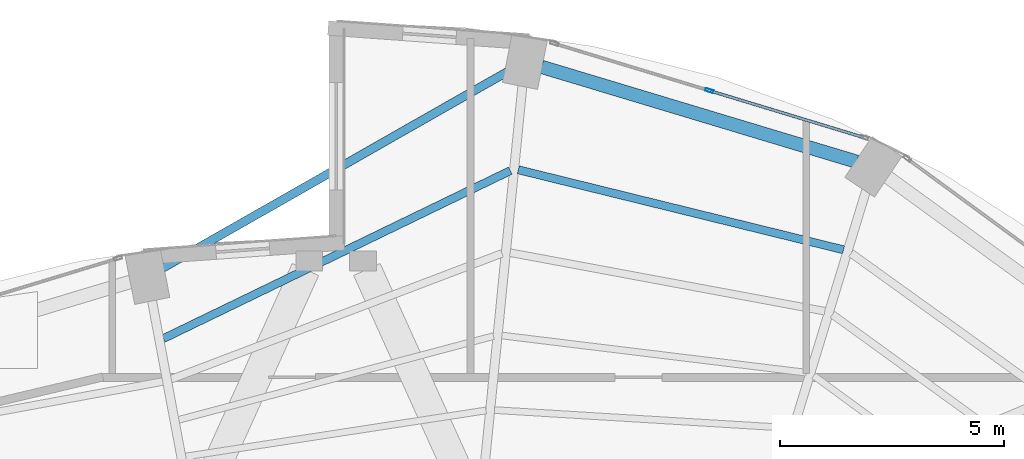
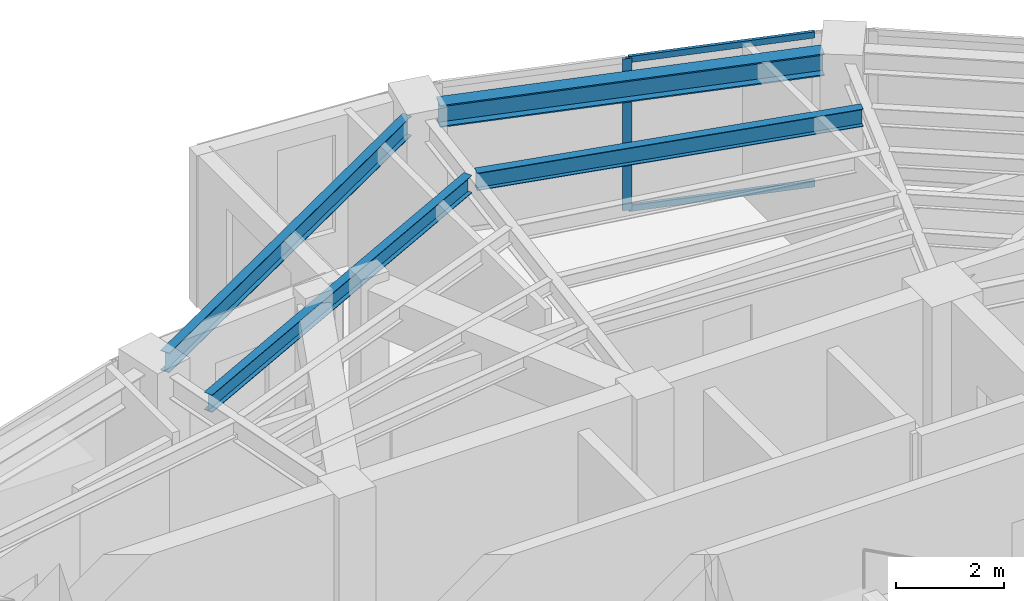
# One storey, part 16 of 22: 4 beams, 3 members, 1 element without a shape of its own.
"""IFC4 building model written with IfcOpenShell, lengths in metres."""

from ifc_helpers import new_model, si_unit, direction, frame, origin, origin_2d, place, context, subcontext, project, spatial, hollow_rectangle, i_section, extrude, material, layer, layer_set, material_profile, profile_set, type_object, element, aggregate, save


model = new_model("IFC4")

# Units and contexts
model_context = context("Model", 3, precision=1e-05, world=origin(), true_north=direction((0.0, 1.0)))
body_context = subcontext(model_context, "Body", "Model", "MODEL_VIEW")
ifc_project = project(units=[si_unit("LENGTHUNIT", "METRE"), si_unit("AREAUNIT", "SQUARE_METRE"), si_unit("VOLUMEUNIT", "CUBIC_METRE"), si_unit("PLANEANGLEUNIT", "RADIAN"), si_unit("MASSUNIT", "GRAM", prefix="KILO")], contexts=[model_context])

# Site, building, storey
site_placement = place(None, origin())
site = spatial("IfcSite", under=ifc_project, at=site_placement, CompositionType="ELEMENT")
building_placement = place(site_placement, origin())
building = spatial("IfcBuilding", under=site, at=building_placement, Name="Lazwardi Medical Tower", CompositionType="ELEMENT")
storey_placement = place(building_placement, frame((0.0, 0.0, 238.60791015625)))
storey = spatial("IfcBuildingStorey", under=building, at=storey_placement, Name="L62", CompositionType="ELEMENT", Elevation=238.60791015625)

# Beams
ifc_material_1 = material(Name="Steel S355", Category="steel")
ifc_material_profile_1 = material_profile(ifc_material_1, i_section(OverallWidth=0.300048828125, OverallDepth=0.5, WebThickness=0.014404296875, FlangeThickness=0.028076171875, at=origin_2d()), Name="HEB 500")
ifc_profile_set_1 = profile_set([ifc_material_profile_1], Name="Steel S355")
beam_type_1 = type_object("IfcBeamType", Name="BM-RB-Z4", PredefinedType="BEAM", material=ifc_profile_set_1)
beam_1_placement = place(storey_placement, frame((47.626953125, 43.56640625, 3.197998046875), z_axis=(-0.957544311906, 0.288286126506, 0.0), x_axis=(-0.288286126506, -0.957544311906, 0.0)))
element("IfcBeam", 1, at=beam_1_placement, inside=storey, type_object=beam_type_1, Name="Ring beam RB-05 B07 L62", PredefinedType="BEAM", context=body_context, shape_type="SweptSolid", body=[
    extrude(i_section(OverallWidth=0.300048828125, OverallDepth=0.5, WebThickness=0.014404296875, FlangeThickness=0.028076171875, at=origin_2d()), origin(), (0.0, 0.0, 1.0), 7.3515625),
])
ifc_material_profile_2 = material_profile(ifc_material_1, i_section(OverallWidth=0.179931640625, OverallDepth=0.39990234375, WebThickness=0.008544921875, FlangeThickness=0.013427734375, at=origin_2d()), Name="IPE 400")
ifc_profile_set_2 = profile_set([ifc_material_profile_2], Name="Steel S355")
beam_type_2 = type_object("IfcBeamType", Name="BM-SJ-01", PredefinedType="JOIST", material=ifc_profile_set_2)
beam_2_placement = place(storey_placement, frame((47.334228515625, 41.59912109375, 3.248046875), z_axis=(-0.971041669317, 0.238910184904, 0.0), x_axis=(-0.238910184904, -0.971041669317, 0.0)))
element("IfcBeam", 2, at=beam_2_placement, inside=storey, type_object=beam_type_2, Name="Secondary joist SJ-01 R1 B07 L62", PredefinedType="JOIST", context=body_context, shape_type="SweptSolid", body=[
    extrude(i_section(OverallWidth=0.179931640625, OverallDepth=0.39990234375, WebThickness=0.008544921875, FlangeThickness=0.013427734375, at=origin_2d()), origin(), (0.0, 0.0, 1.0), 7.482421875),
])
beam_3_placement = place(storey_placement, frame((39.89111328125, 43.367919921875, 3.248046875), z_axis=(-0.900068885459, -0.435747635024, 0.0), x_axis=(0.435747635024, -0.900068885459, 0.0)))
element("IfcBeam", 3, at=beam_3_placement, inside=storey, type_object=beam_type_2, Name="Secondary joist SJ-01 R1 B08 L62", PredefinedType="JOIST", context=body_context, shape_type="SweptSolid", body=[
    extrude(i_section(OverallWidth=0.179931640625, OverallDepth=0.39990234375, WebThickness=0.008544921875, FlangeThickness=0.013427734375, at=origin_2d()), origin(), (0.0, 0.0, 1.0), 8.612548828125),
])
ifc_material_profile_3 = material_profile(ifc_material_1, i_section(OverallWidth=0.18994140625, OverallDepth=0.449951171875, WebThickness=0.009521484375, FlangeThickness=0.0146484375, at=origin_2d()), Name="IPE 450")
ifc_profile_set_3 = profile_set([ifc_material_profile_3], Name="Steel S355")
beam_type_3 = type_object("IfcBeamType", Name="BM-SP-01", PredefinedType="SPANDREL", material=ifc_profile_set_3)
beam_4_placement = place(storey_placement, frame((39.875, 45.605224609375, 3.22314453125), z_axis=(-0.868954808466, -0.494891443494, 0.0), x_axis=(0.494891443494, -0.868954808466, 0.0)))
element("IfcBeam", 4, at=beam_4_placement, inside=storey, type_object=beam_type_3, Name="Spandrel beam SP-01 B08 L62", PredefinedType="SPANDREL", context=body_context, shape_type="SweptSolid", body=[
    extrude(i_section(OverallWidth=0.18994140625, OverallDepth=0.449951171875, WebThickness=0.009521484375, FlangeThickness=0.0146484375, at=origin_2d()), origin(), (0.0, 0.0, 1.0), 8.918701171875),
])

# Curtain wall, members
ifc_material_2 = material(Name="Anodised bronze aluminium and solar control glazing", Category="aluminium")
ifc_layer = layer(ifc_material_2, 0.18994140625)
ifc_layer_set = layer_set([ifc_layer], Name="Anodised bronze aluminium and solar control glazing")
curtain_wall_type = type_object("IfcCurtainWallType", Name="CW-SYS-04", PredefinedType="NOTDEFINED", material=ifc_layer_set)
curtain_wall_placement = place(storey_placement, origin())
curtain_wall = element("IfcCurtainWall", 5, at=curtain_wall_placement, inside=storey, type_object=curtain_wall_type, Name="L62 Unitised bronze curtain wall CW-04", PredefinedType="NOTDEFINED")
ifc_material_3 = material(Name="Anodised bronze aluminium", Category="aluminium")
ifc_material_profile_4 = material_profile(ifc_material_3, hollow_rectangle(XDim=0.06494140625, YDim=0.179931640625, WallThickness=0.00390625, at=origin_2d()), Name="ALU-MULLION 180x65x4")
ifc_profile_set_4 = profile_set([ifc_material_profile_4], Name="Anodised bronze aluminium")
member_type_1 = type_object("IfcMemberType", Name="CW-MUL-03", PredefinedType="MULLION", material=ifc_profile_set_4)
member_1_placement = place(storey_placement, frame((44.33642578125, 45.1552734375, 0.0), z_axis=(0.0, 0.0, 1.0), x_axis=(-0.290581889515, -0.956850126972, 0.0)))
member_1 = element("IfcMember", 6, at=member_1_placement, type_object=member_type_1, Name="CW-04 mullion 2", PredefinedType="MULLION", context=body_context, shape_type="SweptSolid", body=[
    extrude(hollow_rectangle(XDim=0.06494140625, YDim=0.179931640625, WallThickness=0.00390625, at=origin_2d()), origin(), (0.0, 0.0, 1.0), 3.447998046875),
])
ifc_material_profile_5 = material_profile(ifc_material_3, hollow_rectangle(XDim=0.06494140625, YDim=0.139892578125, WallThickness=0.00341796875, at=origin_2d()), Name="ALU-TRANSOM 140x65x3.5")
ifc_profile_set_5 = profile_set([ifc_material_profile_5], Name="Anodised bronze aluminium")
member_type_2 = type_object("IfcMemberType", Name="CW-TRN-03", PredefinedType="USERDEFINED", material=ifc_profile_set_5)
member_2_placement = place(storey_placement, frame((47.7685546875, 44.113037109375, 0.032470703125), z_axis=(-0.956862505902, 0.290541124109, 0.0), x_axis=(-0.290541124109, -0.956862505902, 0.0)))
member_2 = element("IfcMember", 7, at=member_2_placement, type_object=member_type_2, Name="CW-04 transom 1.1", ObjectType="TRANSOM", PredefinedType="USERDEFINED", context=body_context, shape_type="SweptSolid", body=[
    extrude(hollow_rectangle(XDim=0.06494140625, YDim=0.139892578125, WallThickness=0.00341796875, at=origin_2d()), origin(), (0.0, 0.0, 1.0), 3.554443359375),
])
member_3_placement = place(storey_placement, frame((47.7685546875, 44.113037109375, 3.41552734375), z_axis=(-0.956862505902, 0.290541124109, 0.0), x_axis=(-0.290541124109, -0.956862505902, 0.0)))
member_3 = element("IfcMember", 8, at=member_3_placement, type_object=member_type_2, Name="CW-04 transom 1.2", ObjectType="TRANSOM", PredefinedType="USERDEFINED", context=body_context, shape_type="SweptSolid", body=[
    extrude(hollow_rectangle(XDim=0.06494140625, YDim=0.139892578125, WallThickness=0.00341796875, at=origin_2d()), origin(), (0.0, 0.0, 1.0), 3.554443359375),
])
aggregate(curtain_wall, [member_1, member_2, member_3])

save(model, "model.ifc")
